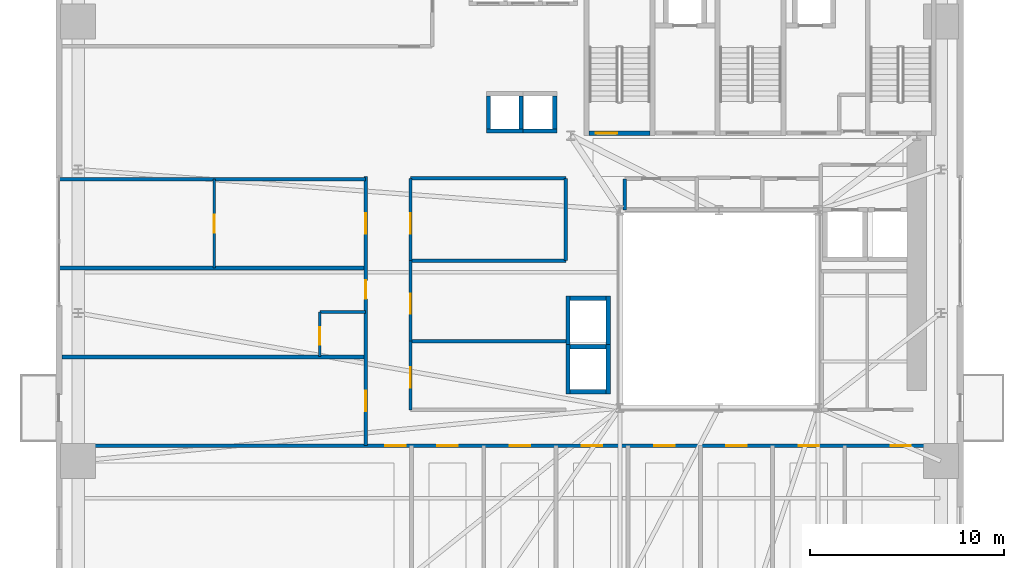
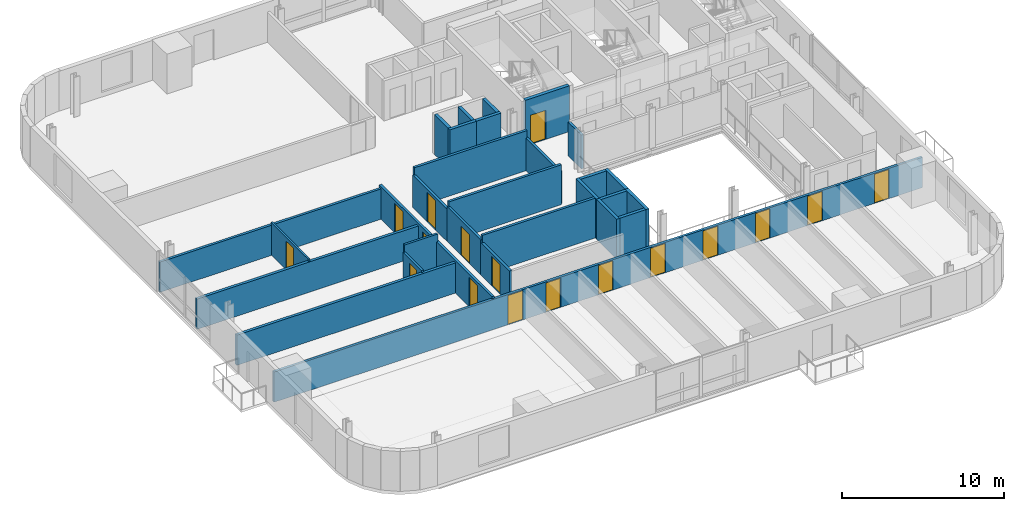
# One storey, part 6 of 13: 29 walls, 17 doors, 17 openings.
"""IFC4 building model written with IfcOpenShell, lengths in metres."""

from ifc_helpers import new_model, si_unit, direction, frame, frame_2d, origin, place, context, subcontext, project, spatial, rectangle, extrude, source, transform, mapped, material, layer, layer_set, type_object, element, fill, save


model = new_model("IFC4")

# Units and contexts
model_context = context("Model", 3, precision=1e-05, world=origin(), true_north=direction((0.0, 1.0)))
body_context = subcontext(model_context, "Body", "Model", "MODEL_VIEW")
ifc_project = project(units=[si_unit("LENGTHUNIT", "METRE"), si_unit("AREAUNIT", "SQUARE_METRE"), si_unit("VOLUMEUNIT", "CUBIC_METRE"), si_unit("PLANEANGLEUNIT", "RADIAN"), si_unit("MASSUNIT", "GRAM", prefix="KILO")], contexts=[model_context])

# Site, building, storey
site_placement = place(None, origin())
site = spatial("IfcSite", under=ifc_project, at=site_placement, CompositionType="ELEMENT")
building_placement = place(site_placement, origin())
building = spatial("IfcBuilding", under=site, at=building_placement, Name="Vardaveli Station Tower", CompositionType="ELEMENT")
storey_placement = place(building_placement, frame((0.0, 0.0, 89.64990234375)))
storey = spatial("IfcBuildingStorey", under=building, at=storey_placement, Name="L23", CompositionType="ELEMENT", Elevation=89.64990234375)

# Wall, opening, door
ifc_material_1 = material(Name="Concrete C40/50", Category="concrete")
ifc_layer_1 = layer(ifc_material_1, 0.25, Name="Concrete C40/50")
ifc_layer_set_1 = layer_set([ifc_layer_1], Name="Concrete C40/50")
wall_type_1 = type_object("IfcWallType", Name="WAL-SHAFT-250", PredefinedType="SOLIDWALL", material=ifc_layer_set_1)
shared_shape_1 = source(origin(), body_context, "Body", "SweptSolid", [
    extrude(rectangle(XDim=3.14990234375, YDim=0.25, at=frame_2d((1.574951171875, 0.0))), origin(), (0.0, 0.0, 1.0), 3.4501953125),
])
wall_1_placement = place(storey_placement, frame((29.60009765625, 30.77490234375, 0.0), z_axis=(0.0, 0.0, 1.0), x_axis=(1.0, 0.0, 0.0)))
wall_1 = element("IfcWall", 1, at=wall_1_placement, inside=storey, type_object=wall_type_1, Name="W-L23-ST-1S", PredefinedType="SOLIDWALL", context=body_context, shape_type="MappedRepresentation", body=[
    mapped(shared_shape_1, transform((0.0, 0.0, 0.0), scale=1.0)),
])
shared_shape_2 = source(origin(), body_context, "Body", "SweptSolid", [
    extrude(rectangle(XDim=1.10009765625, YDim=2.199951171875, at=frame_2d((0.550048828125, 1.10009765625))), frame((0.0, 0.135009765625, 0.0), z_axis=(0.0, -1.0, 0.0), x_axis=(1.0, 0.0, 0.0)), (0.0, 0.0, 1.0), 0.27001953125),
])
opening_1_placement = place(wall_1_placement, frame((0.35009765625, 0.0, 0.0)))
opening_1 = element("IfcOpeningElement", 2, at=opening_1_placement, cuts=wall_1, Name="Opening D-04", PredefinedType="OPENING", context=body_context, shape_type="MappedRepresentation", body=[
    mapped(shared_shape_2, transform((0.0, 0.0, 0.0), scale=1.0)),
])
ifc_material_2 = material(Name="Steel smokeproof fire doorset", Category="steel")
door_type_1 = type_object("IfcDoorType", Name="DR-ST-1100x2200", OperationType="NOTDEFINED", PredefinedType="DOOR", material=ifc_material_2)
shared_shape_3 = source(origin(), body_context, "Body", "SweptSolid", [
    extrude(rectangle(XDim=1.10009765625, YDim=2.199951171875, at=frame_2d((0.550048828125, 1.10009765625))), frame((0.0, 0.02490234375, 0.0), z_axis=(0.0, -1.0, 0.0), x_axis=(1.0, 0.0, 0.0)), (0.0, 0.0, 1.0), 0.050048828125),
])
door_1_placement = place(opening_1_placement, origin())
door_1 = element("IfcDoor", 3, at=door_1_placement, inside=storey, type_object=door_type_1, Name="DST-1-L23", OperationType="SINGLE_SWING_LEFT", OverallHeight=2.199951171875, OverallWidth=1.10009765625, PredefinedType="DOOR", context=body_context, shape_type="MappedRepresentation", body=[
    mapped(shared_shape_3, transform((0.0, 0.0, 0.0), scale=1.0)),
])
fill(opening_1, door_1)

# Walls
ifc_layer_2 = layer(ifc_material_1, 0.219970703125, Name="Concrete C40/50")
ifc_layer_set_2 = layer_set([ifc_layer_2], Name="Concrete C40/50")
wall_type_2 = type_object("IfcWallType", Name="WAL-FFLOBBY-220", PredefinedType="SOLIDWALL", material=ifc_layer_set_2)
shared_shape_4 = source(origin(), body_context, "Body", "SweptSolid", [
    extrude(rectangle(XDim=1.89013671875, YDim=0.219970703125, at=frame_2d((0.945068359375, 0.0))), origin(), (0.0, 0.0, 1.0), 3.0),
])
for number, where, z_axis, x_axis, name in (
    (4, (24.304931640625, 30.889892578125, 0.0), (0.0, 0.0, 1.0), (1.0, 0.0, 0.0), "SHW-SHU-01-L23-S"),
    (5, (26.054931640625, 30.889892578125, 0.0), (0.0, 0.0, 1.0), (1.0, 0.0, 0.0), "SHW-SHU-02-L23-S"),
):
    element("IfcWall", number, at=place(storey_placement, frame(where, z_axis=z_axis, x_axis=x_axis)), inside=storey, type_object=wall_type_2, Name=name, PredefinedType="SOLIDWALL", context=body_context, shape_type="MappedRepresentation", body=[
        mapped(shared_shape_4, transform((0.0, 0.0, 0.0), scale=1.0)),
    ])
shared_shape_5 = source(origin(), body_context, "Body", "SweptSolid", [
    extrude(rectangle(XDim=1.699951171875, YDim=0.219970703125, at=frame_2d((0.85009765625, 0.0))), origin(), (0.0, 0.0, 1.0), 3.0),
])
for number, where, z_axis, x_axis, name in (
    (6, (24.4150390625, 31.0, 0.0), (0.0, 0.0, 1.0), (0.0, 1.0, 0.0), "SHW-SHU-01-L23-W"),
    (7, (26.0849609375, 31.0, 0.0), (0.0, 0.0, 1.0), (0.0, 1.0, 0.0), "SHW-SHU-01-L23-E"),
    (8, (27.8349609375, 31.0, 0.0), (0.0, 0.0, 1.0), (0.0, 1.0, 0.0), "SHW-SHU-02-L23-E"),
):
    element("IfcWall", number, at=place(storey_placement, frame(where, z_axis=z_axis, x_axis=x_axis)), inside=storey, type_object=wall_type_2, Name=name, PredefinedType="SOLIDWALL", context=body_context, shape_type="MappedRepresentation", body=[
        mapped(shared_shape_5, transform((0.0, 0.0, 0.0), scale=1.0)),
    ])
shared_shape_6 = source(origin(), body_context, "Body", "SweptSolid", [
    extrude(rectangle(XDim=1.85009765625, YDim=0.219970703125, at=frame_2d((0.925048828125, 0.0))), origin(), (0.0, 0.0, 1.0), 3.0),
])
for number, where, z_axis, x_axis, name in (
    (9, (28.625, 17.43994140625, 0.0), (0.0, 0.0, 1.0), (1.0, 0.0, 0.0), "SHW-OBS-01-L23-S"),
    (10, (28.625, 19.760009765625, 0.0), (0.0, 0.0, 1.0), (1.0, 0.0, 0.0), "SHW-OBS-01-L23-N"),
    (11, (28.625, 22.260009765625, 0.0), (0.0, 0.0, 1.0), (1.0, 0.0, 0.0), "SHW-OBS-02-L23-N"),
):
    element("IfcWall", number, at=place(storey_placement, frame(where, z_axis=z_axis, x_axis=x_axis)), inside=storey, type_object=wall_type_2, Name=name, PredefinedType="SOLIDWALL", context=body_context, shape_type="MappedRepresentation", body=[
        mapped(shared_shape_6, transform((0.0, 0.0, 0.0), scale=1.0)),
    ])
shared_shape_7 = source(origin(), body_context, "Body", "SweptSolid", [
    extrude(rectangle(XDim=2.5400390625, YDim=0.219970703125, at=frame_2d((1.27001953125, 0.0))), origin(), (0.0, 0.0, 1.0), 3.0),
])
for number, where, z_axis, x_axis, name in (
    (12, (28.514892578125, 17.330078125, 0.0), (0.0, 0.0, 1.0), (0.0, 1.0, 0.0), "SHW-OBS-01-L23-W"),
    (13, (30.5849609375, 17.330078125, 0.0), (0.0, 0.0, 1.0), (0.0, 1.0, 0.0), "SHW-OBS-01-L23-E"),
    (14, (28.514892578125, 19.830078125, 0.0), (0.0, 0.0, 1.0), (0.0, 1.0, 0.0), "SHW-OBS-02-L23-W"),
    (15, (30.5849609375, 19.830078125, 0.0), (0.0, 0.0, 1.0), (0.0, 1.0, 0.0), "SHW-OBS-02-L23-E"),
):
    element("IfcWall", number, at=place(storey_placement, frame(where, z_axis=z_axis, x_axis=x_axis)), inside=storey, type_object=wall_type_2, Name=name, PredefinedType="SOLIDWALL", context=body_context, shape_type="MappedRepresentation", body=[
        mapped(shared_shape_7, transform((0.0, 0.0, 0.0), scale=1.0)),
    ])

# Wall, openings, doors
ifc_material_3 = material(Name="Fire-rated gypsum stud partition")
ifc_layer_3 = layer(ifc_material_3, 0.179931640625, Name="Fire-rated gypsum stud partition")
ifc_layer_set_3 = layer_set([ifc_layer_3], Name="Fire-rated gypsum stud partition")
wall_type_3 = type_object("IfcWallType", Name="WAL-CORR-180", PredefinedType="PARTITIONING", material=ifc_layer_set_3)
shared_shape_8 = source(origin(), body_context, "Body", "SweptSolid", [
    extrude(rectangle(XDim=46.15576171875, YDim=0.179931640625, at=frame_2d((23.077880859375, 0.0))), origin(), (0.0, 0.0, 1.0), 2.276123046875),
])
wall_2_placement = place(storey_placement, frame((2.422119140625, 14.659912109375, 0.0), z_axis=(0.0, 0.0, 1.0), x_axis=(1.0, 0.0, 0.0)))
wall_2 = element("IfcWall", 16, at=wall_2_placement, inside=storey, type_object=wall_type_3, Name="W-L23-CS", PredefinedType="PARTITIONING", context=body_context, shape_type="MappedRepresentation", body=[
    mapped(shared_shape_8, transform((0.0, 0.0, 0.0), scale=1.0)),
])
shared_shape_9 = source(origin(), body_context, "Body", "SweptSolid", [
    extrude(rectangle(XDim=1.050048828125, YDim=2.199951171875, at=frame_2d((0.52490234375, 1.10009765625))), frame((0.0, 0.10009765625, 0.0), z_axis=(0.0, -1.0, 0.0), x_axis=(1.0, 0.0, 0.0)), (0.0, 0.0, 1.0), 0.199951171875),
])
opening_2_placement = place(wall_2_placement, frame((16.66796875, 0.0, 0.0)))
opening_2 = element("IfcOpeningElement", 17, at=opening_2_placement, cuts=wall_2, Name="Opening D-05", PredefinedType="OPENING", context=body_context, shape_type="MappedRepresentation", body=[
    mapped(shared_shape_9, transform((0.0, 0.0, 0.0), scale=1.0)),
])
opening_3_placement = place(wall_2_placement, frame((19.3603515625, 0.0, 0.0)))
opening_3 = element("IfcOpeningElement", 18, at=opening_3_placement, cuts=wall_2, Name="Opening D-05", PredefinedType="OPENING", context=body_context, shape_type="MappedRepresentation", body=[
    mapped(shared_shape_9, transform((0.0, 0.0, 0.0), scale=1.0)),
])
opening_4_placement = place(wall_2_placement, frame((23.0849609375, 0.0, 0.0)))
opening_4 = element("IfcOpeningElement", 19, at=opening_4_placement, cuts=wall_2, Name="Opening D-05", PredefinedType="OPENING", context=body_context, shape_type="MappedRepresentation", body=[
    mapped(shared_shape_9, transform((0.0, 0.0, 0.0), scale=1.0)),
])
opening_5_placement = place(wall_2_placement, frame((26.809326171875, 0.0, 0.0)))
opening_5 = element("IfcOpeningElement", 20, at=opening_5_placement, cuts=wall_2, Name="Opening D-05", PredefinedType="OPENING", context=body_context, shape_type="MappedRepresentation", body=[
    mapped(shared_shape_9, transform((0.0, 0.0, 0.0), scale=1.0)),
])
opening_6_placement = place(wall_2_placement, frame((30.533935546875, 0.0, 0.0)))
opening_6 = element("IfcOpeningElement", 21, at=opening_6_placement, cuts=wall_2, Name="Opening D-05", PredefinedType="OPENING", context=body_context, shape_type="MappedRepresentation", body=[
    mapped(shared_shape_9, transform((0.0, 0.0, 0.0), scale=1.0)),
])
opening_7_placement = place(wall_2_placement, frame((34.258544921875, 0.0, 0.0)))
opening_7 = element("IfcOpeningElement", 22, at=opening_7_placement, cuts=wall_2, Name="Opening D-05", PredefinedType="OPENING", context=body_context, shape_type="MappedRepresentation", body=[
    mapped(shared_shape_9, transform((0.0, 0.0, 0.0), scale=1.0)),
])
opening_8_placement = place(wall_2_placement, frame((37.983154296875, 0.0, 0.0)))
opening_8 = element("IfcOpeningElement", 23, at=opening_8_placement, cuts=wall_2, Name="Opening D-05", PredefinedType="OPENING", context=body_context, shape_type="MappedRepresentation", body=[
    mapped(shared_shape_9, transform((0.0, 0.0, 0.0), scale=1.0)),
])
opening_9_placement = place(wall_2_placement, frame((42.726806640625, 0.0, 0.0)))
opening_9 = element("IfcOpeningElement", 24, at=opening_9_placement, cuts=wall_2, Name="Opening D-05", PredefinedType="OPENING", context=body_context, shape_type="MappedRepresentation", body=[
    mapped(shared_shape_9, transform((0.0, 0.0, 0.0), scale=1.0)),
])
ifc_material_4 = material(Name="Walnut veneer acoustic fire door")
door_type_2 = type_object("IfcDoorType", Name="DR-SUITE-1050x2200", OperationType="NOTDEFINED", PredefinedType="DOOR", material=ifc_material_4)
shared_shape_10 = source(origin(), body_context, "Body", "SweptSolid", [
    extrude(rectangle(XDim=1.050048828125, YDim=2.199951171875, at=frame_2d((0.52490234375, 1.10009765625))), frame((0.0, 0.02490234375, 0.0), z_axis=(0.0, -1.0, 0.0), x_axis=(1.0, 0.0, 0.0)), (0.0, 0.0, 1.0), 0.050048828125),
])
door_2_placement = place(opening_2_placement, origin())
door_2 = element("IfcDoor", 25, at=door_2_placement, inside=storey, type_object=door_type_2, Name="D-L23-SA1", OperationType="SINGLE_SWING_LEFT", OverallHeight=2.199951171875, OverallWidth=1.050048828125, PredefinedType="DOOR", context=body_context, shape_type="MappedRepresentation", body=[
    mapped(shared_shape_10, transform((0.0, 0.0, 0.0), scale=1.0)),
])
fill(opening_2, door_2)
door_3_placement = place(opening_3_placement, origin())
door_3 = element("IfcDoor", 26, at=door_3_placement, inside=storey, type_object=door_type_2, Name="D-L23-SA2", OperationType="SINGLE_SWING_RIGHT", OverallHeight=2.199951171875, OverallWidth=1.050048828125, PredefinedType="DOOR", context=body_context, shape_type="MappedRepresentation", body=[
    mapped(shared_shape_10, transform((0.0, 0.0, 0.0), scale=1.0)),
])
fill(opening_3, door_3)
door_4_placement = place(opening_4_placement, origin())
door_4 = element("IfcDoor", 27, at=door_4_placement, inside=storey, type_object=door_type_2, Name="D-L23-SA3", OperationType="SINGLE_SWING_LEFT", OverallHeight=2.199951171875, OverallWidth=1.050048828125, PredefinedType="DOOR", context=body_context, shape_type="MappedRepresentation", body=[
    mapped(shared_shape_10, transform((0.0, 0.0, 0.0), scale=1.0)),
])
fill(opening_4, door_4)
door_5_placement = place(opening_5_placement, origin())
door_5 = element("IfcDoor", 28, at=door_5_placement, inside=storey, type_object=door_type_2, Name="D-L23-SA4", OperationType="SINGLE_SWING_RIGHT", OverallHeight=2.199951171875, OverallWidth=1.050048828125, PredefinedType="DOOR", context=body_context, shape_type="MappedRepresentation", body=[
    mapped(shared_shape_10, transform((0.0, 0.0, 0.0), scale=1.0)),
])
fill(opening_5, door_5)
door_6_placement = place(opening_6_placement, origin())
door_6 = element("IfcDoor", 29, at=door_6_placement, inside=storey, type_object=door_type_2, Name="D-L23-SA5", OperationType="SINGLE_SWING_LEFT", OverallHeight=2.199951171875, OverallWidth=1.050048828125, PredefinedType="DOOR", context=body_context, shape_type="MappedRepresentation", body=[
    mapped(shared_shape_10, transform((0.0, 0.0, 0.0), scale=1.0)),
])
fill(opening_6, door_6)
door_7_placement = place(opening_7_placement, origin())
door_7 = element("IfcDoor", 30, at=door_7_placement, inside=storey, type_object=door_type_2, Name="D-L23-SA6", OperationType="SINGLE_SWING_RIGHT", OverallHeight=2.199951171875, OverallWidth=1.050048828125, PredefinedType="DOOR", context=body_context, shape_type="MappedRepresentation", body=[
    mapped(shared_shape_10, transform((0.0, 0.0, 0.0), scale=1.0)),
])
fill(opening_7, door_7)
door_8_placement = place(opening_8_placement, origin())
door_8 = element("IfcDoor", 31, at=door_8_placement, inside=storey, type_object=door_type_2, Name="D-L23-SA7", OperationType="SINGLE_SWING_LEFT", OverallHeight=2.199951171875, OverallWidth=1.050048828125, PredefinedType="DOOR", context=body_context, shape_type="MappedRepresentation", body=[
    mapped(shared_shape_10, transform((0.0, 0.0, 0.0), scale=1.0)),
])
fill(opening_8, door_8)
door_9_placement = place(opening_9_placement, origin())
door_9 = element("IfcDoor", 32, at=door_9_placement, inside=storey, type_object=door_type_2, Name="D-L23-SA8", OperationType="SINGLE_SWING_LEFT", OverallHeight=2.199951171875, OverallWidth=1.050048828125, PredefinedType="DOOR", context=body_context, shape_type="MappedRepresentation", body=[
    mapped(shared_shape_10, transform((0.0, 0.0, 0.0), scale=1.0)),
])
fill(opening_9, door_9)

shared_shape_11 = source(origin(), body_context, "Body", "SweptSolid", [
    extrude(rectangle(XDim=13.89013671875, YDim=0.179931640625, at=frame_2d((6.945068359375, 0.0))), origin(), (0.0, 0.0, 1.0), 2.442138671875),
])
wall_3_placement = place(storey_placement, frame((18.070068359375, 14.659912109375, 0.0), z_axis=(0.0, 0.0, 1.0), x_axis=(0.0, 1.0, 0.0)))
wall_3 = element("IfcWall", 33, at=wall_3_placement, inside=storey, type_object=wall_type_3, Name="W-L23-CW", PredefinedType="PARTITIONING", context=body_context, shape_type="MappedRepresentation", body=[
    mapped(shared_shape_11, transform((0.0, 0.0, 0.0), scale=1.0)),
])
opening_10_placement = place(wall_3_placement, frame((1.77001953125, 0.0, 0.0)))
opening_10 = element("IfcOpeningElement", 34, at=opening_10_placement, cuts=wall_3, Name="Opening D-05", PredefinedType="OPENING", context=body_context, shape_type="MappedRepresentation", body=[
    mapped(shared_shape_9, transform((0.0, 0.0, 0.0), scale=1.0)),
])
shared_shape_12 = source(origin(), body_context, "Body", "SweptSolid", [
    extrude(rectangle(XDim=0.949951171875, YDim=2.14990234375, at=frame_2d((0.47509765625, 1.074951171875))), frame((0.0, 0.10009765625, 0.0), z_axis=(0.0, -1.0, 0.0), x_axis=(1.0, 0.0, 0.0)), (0.0, 0.0, 1.0), 0.199951171875),
])
opening_11_placement = place(wall_3_placement, frame((7.574951171875, 0.0, 0.0)))
opening_11 = element("IfcOpeningElement", 35, at=opening_11_placement, cuts=wall_3, Name="Opening D-06", PredefinedType="OPENING", context=body_context, shape_type="MappedRepresentation", body=[
    mapped(shared_shape_12, transform((0.0, 0.0, 0.0), scale=1.0)),
])
opening_12_placement = place(wall_3_placement, frame((10.929931640625, 0.0, 0.0)))
opening_12 = element("IfcOpeningElement", 36, at=opening_12_placement, cuts=wall_3, Name="Opening D-05", PredefinedType="OPENING", context=body_context, shape_type="MappedRepresentation", body=[
    mapped(shared_shape_9, transform((0.0, 0.0, 0.0), scale=1.0)),
])
door_10_placement = place(opening_10_placement, origin())
door_10 = element("IfcDoor", 37, at=door_10_placement, inside=storey, type_object=door_type_2, Name="D-L23-GW1", OperationType="SINGLE_SWING_LEFT", OverallHeight=2.199951171875, OverallWidth=1.050048828125, PredefinedType="DOOR", context=body_context, shape_type="MappedRepresentation", body=[
    mapped(shared_shape_10, transform((0.0, 0.0, 0.0), scale=1.0)),
])
fill(opening_10, door_10)
door_11_placement = place(opening_12_placement, origin())
door_11 = element("IfcDoor", 38, at=door_11_placement, inside=storey, type_object=door_type_2, Name="D-L23-GW3", OperationType="SINGLE_SWING_LEFT", OverallHeight=2.199951171875, OverallWidth=1.050048828125, PredefinedType="DOOR", context=body_context, shape_type="MappedRepresentation", body=[
    mapped(shared_shape_10, transform((0.0, 0.0, 0.0), scale=1.0)),
])
fill(opening_12, door_11)
ifc_material_5 = material(Name="Oak veneer acoustic fire door")
door_type_3 = type_object("IfcDoorType", Name="DR-GUEST-950x2150", OperationType="NOTDEFINED", PredefinedType="DOOR", material=ifc_material_5)
shared_shape_13 = source(origin(), body_context, "Body", "SweptSolid", [
    extrude(rectangle(XDim=0.949951171875, YDim=2.14990234375, at=frame_2d((0.47509765625, 1.074951171875))), frame((0.0, 0.02490234375, 0.0), z_axis=(0.0, -1.0, 0.0), x_axis=(1.0, 0.0, 0.0)), (0.0, 0.0, 1.0), 0.050048828125),
])
door_12_placement = place(opening_11_placement, origin())
door_12 = element("IfcDoor", 39, at=door_12_placement, inside=storey, type_object=door_type_3, Name="D-L23-GW2", OperationType="SINGLE_SWING_RIGHT", OverallHeight=2.14990234375, OverallWidth=0.949951171875, PredefinedType="DOOR", context=body_context, shape_type="MappedRepresentation", body=[
    mapped(shared_shape_13, transform((0.0, 0.0, 0.0), scale=1.0)),
])
fill(opening_11, door_12)

# Wall, opening, door
ifc_material_6 = material(Name="Gypsum board stud partition")
ifc_layer_4 = layer(ifc_material_6, 0.125, Name="Gypsum board stud partition")
ifc_layer_set_4 = layer_set([ifc_layer_4], Name="Gypsum board stud partition")
wall_type_4 = type_object("IfcWallType", Name="WAL-INT-125", PredefinedType="PARTITIONING", material=ifc_layer_set_4)
shared_shape_14 = source(origin(), body_context, "Body", "SweptSolid", [
    extrude(rectangle(XDim=4.579833984375, YDim=0.125, at=frame_2d((2.2900390625, 0.0))), origin(), (0.0, 0.0, 1.0), 2.442138671875),
])
wall_4_placement = place(storey_placement, frame((10.260009765625, 23.820068359375, 0.0), z_axis=(0.0, 0.0, 1.0), x_axis=(0.0, 1.0, 0.0)))
wall_4 = element("IfcWall", 40, at=wall_4_placement, inside=storey, type_object=wall_type_4, Name="W-L23-WCM3", PredefinedType="PARTITIONING", context=body_context, shape_type="MappedRepresentation", body=[
    mapped(shared_shape_14, transform((0.0, 0.0, 0.0), scale=1.0)),
])
shared_shape_15 = source(origin(), body_context, "Body", "SweptSolid", [
    extrude(rectangle(XDim=0.949951171875, YDim=2.14990234375, at=frame_2d((0.47509765625, 1.074951171875))), frame((0.0, 0.072509765625, 0.0), z_axis=(0.0, -1.0, 0.0), x_axis=(1.0, 0.0, 0.0)), (0.0, 0.0, 1.0), 0.14501953125),
])
opening_13_placement = place(wall_4_placement, frame((1.81005859375, 0.0, 0.0)))
opening_13 = element("IfcOpeningElement", 41, at=opening_13_placement, cuts=wall_4, Name="Opening D-11", PredefinedType="OPENING", context=body_context, shape_type="MappedRepresentation", body=[
    mapped(shared_shape_15, transform((0.0, 0.0, 0.0), scale=1.0)),
])
ifc_material_7 = material(Name="Oak veneer internal suite door")
door_type_4 = type_object("IfcDoorType", Name="DR-INT-950x2150", OperationType="NOTDEFINED", PredefinedType="DOOR", material=ifc_material_7)
door_13_placement = place(opening_13_placement, origin())
door_13 = element("IfcDoor", 42, at=door_13_placement, inside=storey, type_object=door_type_4, Name="D-L23-GWF3", OperationType="SINGLE_SWING_RIGHT", OverallHeight=2.14990234375, OverallWidth=0.949951171875, PredefinedType="DOOR", context=body_context, shape_type="MappedRepresentation", body=[
    mapped(shared_shape_13, transform((0.0, 0.0, 0.0), scale=1.0)),
])
fill(opening_13, door_13)

shared_shape_16 = source(origin(), body_context, "Body", "SweptSolid", [
    extrude(rectangle(XDim=4.239990234375, YDim=0.179931640625, at=frame_2d((2.1201171875, 0.0))), origin(), (0.0, 0.0, 1.0), 2.442138671875),
])
wall_5_placement = place(storey_placement, frame((20.389892578125, 24.199951171875, 0.0), z_axis=(0.0, 0.0, 1.0), x_axis=(0.0, 1.0, 0.0)))
wall_5 = element("IfcWall", 43, at=wall_5_placement, inside=storey, type_object=wall_type_3, Name="W-L23-ATWC-W", PredefinedType="PARTITIONING", context=body_context, shape_type="MappedRepresentation", body=[
    mapped(shared_shape_16, transform((0.0, 0.0, 0.0), scale=1.0)),
])
opening_14_placement = place(wall_5_placement, frame((1.39990234375, 0.0, 0.0)))
opening_14 = element("IfcOpeningElement", 44, at=opening_14_placement, cuts=wall_5, Name="Opening D-05", PredefinedType="OPENING", context=body_context, shape_type="MappedRepresentation", body=[
    mapped(shared_shape_9, transform((0.0, 0.0, 0.0), scale=1.0)),
])
door_14_placement = place(opening_14_placement, origin())
door_14 = element("IfcDoor", 45, at=door_14_placement, inside=storey, type_object=door_type_2, Name="D-L23-ATW3", OperationType="SINGLE_SWING_LEFT", OverallHeight=2.199951171875, OverallWidth=1.050048828125, PredefinedType="DOOR", context=body_context, shape_type="MappedRepresentation", body=[
    mapped(shared_shape_10, transform((0.0, 0.0, 0.0), scale=1.0)),
])
fill(opening_14, door_14)

# Wall
wall_6_placement = place(storey_placement, frame((28.39990234375, 24.199951171875, 0.0), z_axis=(0.0, 0.0, 1.0), x_axis=(0.0, 1.0, 0.0)))
element("IfcWall", 46, at=wall_6_placement, inside=storey, type_object=wall_type_3, Name="W-L23-ATWC-E", PredefinedType="PARTITIONING", context=body_context, shape_type="MappedRepresentation", body=[
    mapped(shared_shape_16, transform((0.0, 0.0, 0.0), scale=1.0)),
])

# Wall, opening, door
shared_shape_17 = source(origin(), body_context, "Body", "SweptSolid", [
    extrude(rectangle(XDim=4.14990234375, YDim=0.179931640625, at=frame_2d((2.074951171875, 0.0))), origin(), (0.0, 0.0, 1.0), 2.632080078125),
])
wall_7_placement = place(storey_placement, frame((20.389892578125, 20.050048828125, 0.0), z_axis=(0.0, 0.0, 1.0), x_axis=(0.0, 1.0, 0.0)))
wall_7 = element("IfcWall", 47, at=wall_7_placement, inside=storey, type_object=wall_type_3, Name="W-L23-ATWB-W", PredefinedType="PARTITIONING", context=body_context, shape_type="MappedRepresentation", body=[
    mapped(shared_shape_17, transform((0.0, 0.0, 0.0), scale=1.0)),
])
opening_15_placement = place(wall_7_placement, frame((1.39990234375, 0.0, 0.0)))
opening_15 = element("IfcOpeningElement", 48, at=opening_15_placement, cuts=wall_7, Name="Opening D-05", PredefinedType="OPENING", context=body_context, shape_type="MappedRepresentation", body=[
    mapped(shared_shape_9, transform((0.0, 0.0, 0.0), scale=1.0)),
])
door_15_placement = place(opening_15_placement, origin())
door_15 = element("IfcDoor", 49, at=door_15_placement, inside=storey, type_object=door_type_2, Name="D-L23-ATW2", OperationType="SINGLE_SWING_RIGHT", OverallHeight=2.199951171875, OverallWidth=1.050048828125, PredefinedType="DOOR", context=body_context, shape_type="MappedRepresentation", body=[
    mapped(shared_shape_10, transform((0.0, 0.0, 0.0), scale=1.0)),
])
fill(opening_15, door_15)

shared_shape_18 = source(origin(), body_context, "Body", "SweptSolid", [
    extrude(rectangle(XDim=3.550048828125, YDim=0.179931640625, at=frame_2d((1.77490234375, 0.0))), origin(), (0.0, 0.0, 1.0), 2.442138671875),
])
wall_8_placement = place(storey_placement, frame((20.389892578125, 16.5, 0.0), z_axis=(0.0, 0.0, 1.0), x_axis=(0.0, 1.0, 0.0)))
wall_8 = element("IfcWall", 50, at=wall_8_placement, inside=storey, type_object=wall_type_3, Name="W-L23-ATWA-W", PredefinedType="PARTITIONING", context=body_context, shape_type="MappedRepresentation", body=[
    mapped(shared_shape_18, transform((0.0, 0.0, 0.0), scale=1.0)),
])
opening_16_placement = place(wall_8_placement, frame((1.14990234375, 0.0, 0.0)))
opening_16 = element("IfcOpeningElement", 51, at=opening_16_placement, cuts=wall_8, Name="Opening D-05", PredefinedType="OPENING", context=body_context, shape_type="MappedRepresentation", body=[
    mapped(shared_shape_9, transform((0.0, 0.0, 0.0), scale=1.0)),
])
door_16_placement = place(opening_16_placement, origin())
door_16 = element("IfcDoor", 52, at=door_16_placement, inside=storey, type_object=door_type_2, Name="D-L23-ATW1", OperationType="SINGLE_SWING_RIGHT", OverallHeight=2.199951171875, OverallWidth=1.050048828125, PredefinedType="DOOR", context=body_context, shape_type="MappedRepresentation", body=[
    mapped(shared_shape_10, transform((0.0, 0.0, 0.0), scale=1.0)),
])
fill(opening_16, door_16)

ifc_material_8 = material(Name="Moisture-resistant stud partition")
ifc_layer_5 = layer(ifc_material_8, 0.14990234375, Name="Moisture-resistant stud partition")
ifc_layer_set_5 = layer_set([ifc_layer_5], Name="Moisture-resistant stud partition")
wall_type_5 = type_object("IfcWallType", Name="WAL-WET-150", PredefinedType="PARTITIONING", material=ifc_layer_set_5)
shared_shape_19 = source(origin(), body_context, "Body", "SweptSolid", [
    extrude(rectangle(XDim=2.2900390625, YDim=0.14990234375, at=frame_2d((1.14501953125, 0.0))), origin(), (0.0, 0.0, 1.0), 2.442138671875),
])
wall_9_placement = place(storey_placement, frame((15.7099609375, 19.260009765625, 0.0), z_axis=(0.0, 0.0, 1.0), x_axis=(0.0, 1.0, 0.0)))
wall_9 = element("IfcWall", 53, at=wall_9_placement, inside=storey, type_object=wall_type_5, Name="W-L23-BW2-W", PredefinedType="PARTITIONING", context=body_context, shape_type="MappedRepresentation", body=[
    mapped(shared_shape_19, transform((0.0, 0.0, 0.0), scale=1.0)),
])
shared_shape_20 = source(origin(), body_context, "Body", "SweptSolid", [
    extrude(rectangle(XDim=0.89990234375, YDim=2.10009765625, at=frame_2d((0.449951171875, 1.050048828125))), frame((0.0, 0.0849609375, 0.0), z_axis=(0.0, -1.0, 0.0), x_axis=(1.0, 0.0, 0.0)), (0.0, 0.0, 1.0), 0.169921875),
])
opening_17_placement = place(wall_9_placement, frame((0.60009765625, 0.0, 0.0)))
opening_17 = element("IfcOpeningElement", 54, at=opening_17_placement, cuts=wall_9, Name="Opening D-08", PredefinedType="OPENING", context=body_context, shape_type="MappedRepresentation", body=[
    mapped(shared_shape_20, transform((0.0, 0.0, 0.0), scale=1.0)),
])
ifc_material_9 = material(Name="Moisture-resistant oak door")
door_type_5 = type_object("IfcDoorType", Name="DR-BATH-900x2100", OperationType="NOTDEFINED", PredefinedType="DOOR", material=ifc_material_9)
shared_shape_21 = source(origin(), body_context, "Body", "SweptSolid", [
    extrude(rectangle(XDim=0.89990234375, YDim=2.10009765625, at=frame_2d((0.449951171875, 1.050048828125))), frame((0.0, 0.02490234375, 0.0), z_axis=(0.0, -1.0, 0.0), x_axis=(1.0, 0.0, 0.0)), (0.0, 0.0, 1.0), 0.050048828125),
])
door_17_placement = place(opening_17_placement, origin())
door_17 = element("IfcDoor", 55, at=door_17_placement, inside=storey, type_object=door_type_5, Name="D-L23-BW2", OperationType="SINGLE_SWING_RIGHT", OverallHeight=2.10009765625, OverallWidth=0.89990234375, PredefinedType="DOOR", context=body_context, shape_type="MappedRepresentation", body=[
    mapped(shared_shape_21, transform((0.0, 0.0, 0.0), scale=1.0)),
])
fill(opening_17, door_17)

# Walls
ifc_material_10 = material(Name="Acoustic twin-stud gypsum partition")
ifc_layer_6 = layer(ifc_material_10, 0.199951171875, Name="Acoustic twin-stud gypsum partition")
ifc_layer_set_6 = layer_set([ifc_layer_6], Name="Acoustic twin-stud gypsum partition")
wall_type_6 = type_object("IfcWallType", Name="WAL-PARTY-200", PredefinedType="PARTITIONING", material=ifc_layer_set_6)
shared_shape_22 = source(origin(), body_context, "Body", "SweptSolid", [
    extrude(rectangle(XDim=15.747802734375, YDim=0.199951171875, at=frame_2d((7.8740234375, 0.0))), origin(), (0.0, 0.0, 1.0), 2.276123046875),
])
wall_10_placement = place(storey_placement, frame((2.422119140625, 19.239990234375, 0.0), z_axis=(0.0, 0.0, 1.0), x_axis=(1.0, 0.0, 0.0)))
element("IfcWall", 56, at=wall_10_placement, inside=storey, type_object=wall_type_6, Name="W-L23-PW1", PredefinedType="PARTITIONING", context=body_context, shape_type="MappedRepresentation", body=[
    mapped(shared_shape_22, transform((0.0, 0.0, 0.0), scale=1.0)),
])
shared_shape_23 = source(origin(), body_context, "Body", "SweptSolid", [
    extrude(rectangle(XDim=15.93994140625, YDim=0.199951171875, at=frame_2d((7.969970703125, 0.0))), origin(), (0.0, 0.0, 1.0), 2.276123046875),
])
wall_11_placement = place(storey_placement, frame((2.22998046875, 23.820068359375, 0.0), z_axis=(0.0, 0.0, 1.0), x_axis=(1.0, 0.0, 0.0)))
element("IfcWall", 57, at=wall_11_placement, inside=storey, type_object=wall_type_6, Name="W-L23-PW2", PredefinedType="PARTITIONING", context=body_context, shape_type="MappedRepresentation", body=[
    mapped(shared_shape_23, transform((0.0, 0.0, 0.0), scale=1.0)),
])
shared_shape_24 = source(origin(), body_context, "Body", "SweptSolid", [
    extrude(rectangle(XDim=15.840087890625, YDim=0.179931640625, at=frame_2d((7.919921875, 0.0))), origin(), (0.0, 0.0, 1.0), 2.276123046875),
])
wall_12_placement = place(storey_placement, frame((2.22998046875, 28.39990234375, 0.0), z_axis=(0.0, 0.0, 1.0), x_axis=(1.0, 0.0, 0.0)))
element("IfcWall", 58, at=wall_12_placement, inside=storey, type_object=wall_type_3, Name="W-L23-CWN", PredefinedType="PARTITIONING", context=body_context, shape_type="MappedRepresentation", body=[
    mapped(shared_shape_24, transform((0.0, 0.0, 0.0), scale=1.0)),
])
shared_shape_25 = source(origin(), body_context, "Body", "SweptSolid", [
    extrude(rectangle(XDim=8.010009765625, YDim=0.179931640625, at=frame_2d((4.0048828125, 0.0))), origin(), (0.0, 0.0, 1.0), 3.0),
])
for number, where, z_axis, x_axis, name in (
    (59, (20.389892578125, 20.050048828125, 0.0), (0.0, 0.0, 1.0), (1.0, 0.0, 0.0), "W-L23-ATWA-N"),
    (60, (20.389892578125, 24.199951171875, 0.0), (0.0, 0.0, 1.0), (1.0, 0.0, 0.0), "W-L23-ATWB-N"),
    (61, (20.389892578125, 28.43994140625, 0.0), (0.0, 0.0, 1.0), (1.0, 0.0, 0.0), "W-L23-ATWC-N"),
):
    element("IfcWall", number, at=place(storey_placement, frame(where, z_axis=z_axis, x_axis=x_axis)), inside=storey, type_object=wall_type_3, Name=name, PredefinedType="PARTITIONING", context=body_context, shape_type="MappedRepresentation", body=[
        mapped(shared_shape_25, transform((0.0, 0.0, 0.0), scale=1.0)),
    ])
shared_shape_26 = source(origin(), body_context, "Body", "SweptSolid", [
    extrude(rectangle(XDim=2.360107421875, YDim=0.14990234375, at=frame_2d((1.18017578125, 0.0))), origin(), (0.0, 0.0, 1.0), 3.0),
])
wall_13_placement = place(storey_placement, frame((15.7099609375, 21.550048828125, 0.0), z_axis=(0.0, 0.0, 1.0), x_axis=(1.0, 0.0, 0.0)))
element("IfcWall", 62, at=wall_13_placement, inside=storey, type_object=wall_type_5, Name="W-L23-BW2-N", PredefinedType="PARTITIONING", context=body_context, shape_type="MappedRepresentation", body=[
    mapped(shared_shape_26, transform((0.0, 0.0, 0.0), scale=1.0)),
])
shared_shape_27 = source(origin(), body_context, "Body", "SweptSolid", [
    extrude(rectangle(XDim=1.599853515625, YDim=0.179931640625, at=frame_2d((0.7998046875, 0.0))), origin(), (0.0, 0.0, 1.0), 2.5419921875),
])
wall_14_placement = place(storey_placement, frame((31.449951171875, 26.820068359375, 0.0), z_axis=(0.0, 0.0, 1.0), x_axis=(0.0, 1.0, 0.0)))
element("IfcWall", 63, at=wall_14_placement, inside=storey, type_object=wall_type_3, Name="W-L23-CS2A-W", PredefinedType="PARTITIONING", context=body_context, shape_type="MappedRepresentation", body=[
    mapped(shared_shape_27, transform((0.0, 0.0, 0.0), scale=1.0)),
])

save(model, "model.ifc")
